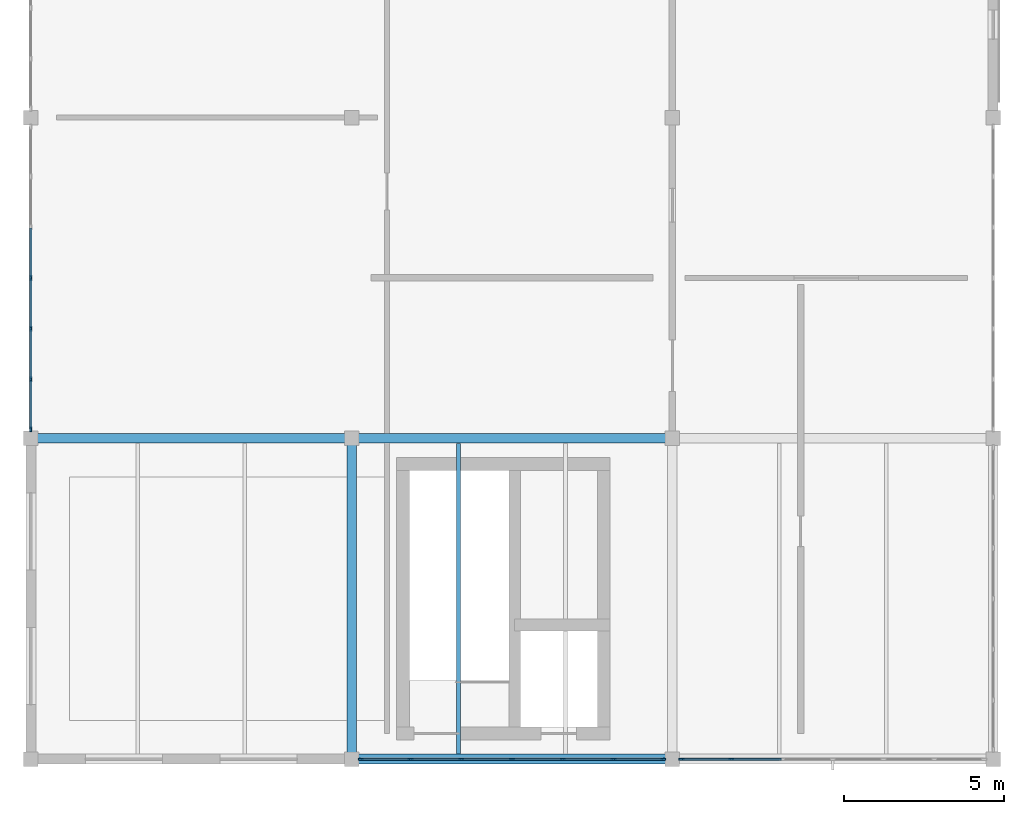
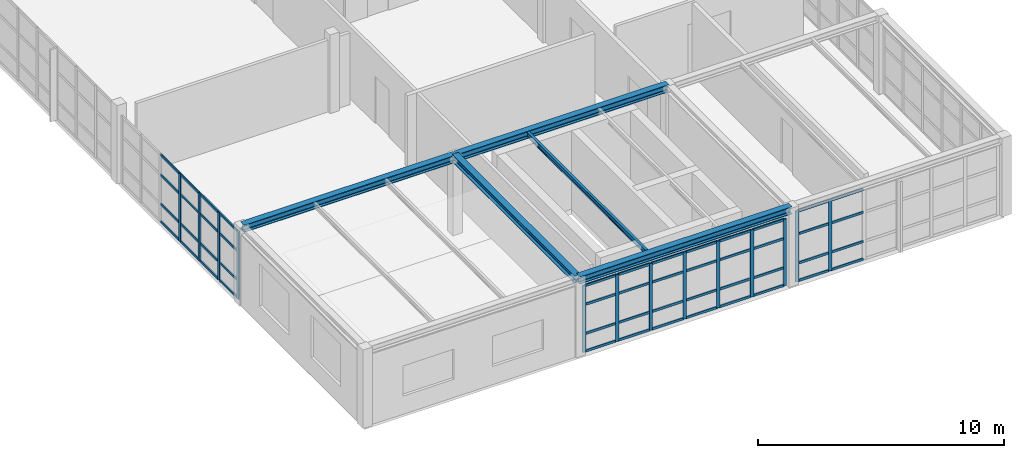
# One storey, part 2 of 11: 61 members, 5 beams, 3 elements without a shape of their own.
"""IFC4 building model written with IfcOpenShell, lengths in metres."""

from ifc_helpers import new_model, si_unit, direction, frame, origin, origin_2d, place, context, subcontext, project, spatial, rectangle, i_section, extrude, material, layer, layer_set, material_profile, profile_set, type_object, element, aggregate, save


model = new_model("IFC4")

# Units and contexts
model_context = context("Model", 3, precision=1e-05, world=origin(), true_north=direction((0.0, 1.0)))
body_context = subcontext(model_context, "Body", "Model", "MODEL_VIEW")
ifc_project = project(units=[si_unit("LENGTHUNIT", "METRE"), si_unit("AREAUNIT", "SQUARE_METRE"), si_unit("VOLUMEUNIT", "CUBIC_METRE"), si_unit("PLANEANGLEUNIT", "RADIAN"), si_unit("MASSUNIT", "GRAM", prefix="KILO"), si_unit("THERMODYNAMICTEMPERATUREUNIT", "KELVIN"), si_unit("POWERUNIT", "WATT")], contexts=[model_context])

# Site, building, storey
site_placement = place(None, origin())
site = spatial("IfcSite", under=ifc_project, at=site_placement, CompositionType="ELEMENT")
building_placement = place(site_placement, origin())
building = spatial("IfcBuilding", under=site, at=building_placement, Name="Korenveer Ferry Terminal", CompositionType="ELEMENT")
storey_placement = place(building_placement, frame((0.0, 0.0, 18.300048828125)))
storey = spatial("IfcBuildingStorey", under=building, at=storey_placement, Name="L04", CompositionType="ELEMENT", Elevation=18.300048828125)

# Curtain wall, members
ifc_material_1 = material(Name="Unitised bronze-and-glass curtain wall", Category="glass")
ifc_layer_1 = layer(ifc_material_1, 0.159912109375)
ifc_layer_set_1 = layer_set([ifc_layer_1], Name="Unitised bronze-and-glass curtain wall")
curtain_wall_type_1 = type_object("IfcCurtainWallType", Name="ENV-CW-129", PredefinedType="USERDEFINED", material=ifc_layer_set_1)
curtain_wall_1_placement = place(storey_placement, frame((10.2548828125, 20.0, 0.0)))
curtain_wall_1 = element("IfcCurtainWall", 1, at=curtain_wall_1_placement, inside=storey, type_object=curtain_wall_type_1, Name="Lancet curtain wall CWX-L04-X10-20-Y20-20", ObjectType="UNITISED CURTAIN WALL", PredefinedType="USERDEFINED")
ifc_material_2 = material(Name="Anodised bronze aluminium", Category="aluminium")
ifc_material_profile_1 = material_profile(ifc_material_2, rectangle(XDim=0.06005859375, YDim=0.159912109375, at=origin_2d()), Name="ALU 60x160")
ifc_profile_set_1 = profile_set([ifc_material_profile_1], Name="Anodised bronze aluminium")
member_type_1 = type_object("IfcMemberType", Name="ENV-CWM-60X160", PredefinedType="MULLION", material=ifc_profile_set_1)
member_1_placement = place(storey_placement, frame((10.284912109375, 20.0, 0.0), z_axis=(0.0, 0.0, 1.0), x_axis=(0.0, 1.0, 0.0)))
member_1 = element("IfcMember", 2, at=member_1_placement, type_object=member_type_1, Name="CW-129 mullion 1", PredefinedType="MULLION", context=body_context, shape_type="SweptSolid", body=[
    extrude(rectangle(XDim=0.06005859375, YDim=0.159912109375, at=origin_2d()), origin(), (0.0, 0.0, 1.0), 3.31005859375),
])
member_2_placement = place(storey_placement, frame((11.836669921875, 20.0, 0.0), z_axis=(0.0, 0.0, 1.0), x_axis=(0.0, 1.0, 0.0)))
member_2 = element("IfcMember", 3, at=member_2_placement, type_object=member_type_1, Name="CW-129 mullion 2", PredefinedType="MULLION", context=body_context, shape_type="SweptSolid", body=[
    extrude(rectangle(XDim=0.06005859375, YDim=0.159912109375, at=origin_2d()), origin(), (0.0, 0.0, 1.0), 3.31005859375),
])
member_3_placement = place(storey_placement, frame((13.418212890625, 20.0, 0.0), z_axis=(0.0, 0.0, 1.0), x_axis=(0.0, 1.0, 0.0)))
member_3 = element("IfcMember", 4, at=member_3_placement, type_object=member_type_1, Name="CW-129 mullion 3", PredefinedType="MULLION", context=body_context, shape_type="SweptSolid", body=[
    extrude(rectangle(XDim=0.06005859375, YDim=0.159912109375, at=origin_2d()), origin(), (0.0, 0.0, 1.0), 3.31005859375),
])
member_4_placement = place(storey_placement, frame((15.0, 20.0, 0.0), z_axis=(0.0, 0.0, 1.0), x_axis=(0.0, 1.0, 0.0)))
member_4 = element("IfcMember", 5, at=member_4_placement, type_object=member_type_1, Name="CW-129 mullion 4", PredefinedType="MULLION", context=body_context, shape_type="SweptSolid", body=[
    extrude(rectangle(XDim=0.06005859375, YDim=0.159912109375, at=origin_2d()), origin(), (0.0, 0.0, 1.0), 3.31005859375),
])
member_5_placement = place(storey_placement, frame((16.581787109375, 20.0, 0.0), z_axis=(0.0, 0.0, 1.0), x_axis=(0.0, 1.0, 0.0)))
member_5 = element("IfcMember", 6, at=member_5_placement, type_object=member_type_1, Name="CW-129 mullion 5", PredefinedType="MULLION", context=body_context, shape_type="SweptSolid", body=[
    extrude(rectangle(XDim=0.06005859375, YDim=0.159912109375, at=origin_2d()), origin(), (0.0, 0.0, 1.0), 3.31005859375),
])
member_6_placement = place(storey_placement, frame((18.163330078125, 20.0, 0.0), z_axis=(0.0, 0.0, 1.0), x_axis=(0.0, 1.0, 0.0)))
member_6 = element("IfcMember", 7, at=member_6_placement, type_object=member_type_1, Name="CW-129 mullion 6", PredefinedType="MULLION", context=body_context, shape_type="SweptSolid", body=[
    extrude(rectangle(XDim=0.06005859375, YDim=0.159912109375, at=origin_2d()), origin(), (0.0, 0.0, 1.0), 3.31005859375),
])
member_7_placement = place(storey_placement, frame((19.715087890625, 20.0, 0.0), z_axis=(0.0, 0.0, 1.0), x_axis=(0.0, 1.0, 0.0)))
member_7 = element("IfcMember", 8, at=member_7_placement, type_object=member_type_1, Name="CW-129 mullion 7", PredefinedType="MULLION", context=body_context, shape_type="SweptSolid", body=[
    extrude(rectangle(XDim=0.06005859375, YDim=0.159912109375, at=origin_2d()), origin(), (0.0, 0.0, 1.0), 3.31005859375),
])

ifc_layer_2 = layer(ifc_material_1, 0.159912109375)
ifc_layer_set_2 = layer_set([ifc_layer_2], Name="Unitised bronze-and-glass curtain wall")
curtain_wall_type_2 = type_object("IfcCurtainWallType", Name="ENV-CW-130", PredefinedType="USERDEFINED", material=ifc_layer_set_2)
curtain_wall_2_placement = place(storey_placement, frame((20.2548828125, 20.0, 0.0)))
curtain_wall_2 = element("IfcCurtainWall", 9, at=curtain_wall_2_placement, inside=storey, type_object=curtain_wall_type_2, Name="Lancet curtain wall CWX-L04-X20-30-Y20-20", ObjectType="UNITISED CURTAIN WALL", PredefinedType="USERDEFINED")
member_8_placement = place(storey_placement, frame((20.284912109375, 20.0, 0.0), z_axis=(0.0, 0.0, 1.0), x_axis=(0.0, 1.0, 0.0)))
member_8 = element("IfcMember", 10, at=member_8_placement, type_object=member_type_1, Name="CW-130 mullion 1", PredefinedType="MULLION", context=body_context, shape_type="SweptSolid", body=[
    extrude(rectangle(XDim=0.06005859375, YDim=0.159912109375, at=origin_2d()), origin(), (0.0, 0.0, 1.0), 3.510009765625),
])
member_9_placement = place(storey_placement, frame((21.836669921875, 20.0, 0.0), z_axis=(0.0, 0.0, 1.0), x_axis=(0.0, 1.0, 0.0)))
member_9 = element("IfcMember", 11, at=member_9_placement, type_object=member_type_1, Name="CW-130 mullion 2", PredefinedType="MULLION", context=body_context, shape_type="SweptSolid", body=[
    extrude(rectangle(XDim=0.06005859375, YDim=0.159912109375, at=origin_2d()), origin(), (0.0, 0.0, 1.0), 3.510009765625),
])

ifc_layer_3 = layer(ifc_material_1, 0.159912109375)
ifc_layer_set_3 = layer_set([ifc_layer_3], Name="Unitised bronze-and-glass curtain wall")
curtain_wall_type_3 = type_object("IfcCurtainWallType", Name="ENV-CW-131", PredefinedType="USERDEFINED", material=ifc_layer_set_3)
curtain_wall_3_placement = place(storey_placement, frame((0.0, 30.2548828125, 0.0)))
curtain_wall_3 = element("IfcCurtainWall", 12, at=curtain_wall_3_placement, inside=storey, type_object=curtain_wall_type_3, Name="Lancet curtain wall CWX-L04-X0-0-Y30-40", ObjectType="UNITISED CURTAIN WALL", PredefinedType="USERDEFINED")
member_10_placement = place(storey_placement, frame((0.0, 30.284912109375, 0.0), z_axis=(0.0, 0.0, 1.0), x_axis=(-1.0, 0.0, 0.0)))
member_10 = element("IfcMember", 13, at=member_10_placement, type_object=member_type_1, Name="CW-131 mullion 1", PredefinedType="MULLION", context=body_context, shape_type="SweptSolid", body=[
    extrude(rectangle(XDim=0.06005859375, YDim=0.159912109375, at=origin_2d()), origin(), (0.0, 0.0, 1.0), 3.35986328125),
])
member_11_placement = place(storey_placement, frame((0.0, 31.836669921875, 0.0), z_axis=(0.0, 0.0, 1.0), x_axis=(-1.0, 0.0, 0.0)))
member_11 = element("IfcMember", 14, at=member_11_placement, type_object=member_type_1, Name="CW-131 mullion 2", PredefinedType="MULLION", context=body_context, shape_type="SweptSolid", body=[
    extrude(rectangle(XDim=0.06005859375, YDim=0.159912109375, at=origin_2d()), origin(), (0.0, 0.0, 1.0), 3.35986328125),
])
member_12_placement = place(storey_placement, frame((0.0, 33.418212890625, 0.0), z_axis=(0.0, 0.0, 1.0), x_axis=(-1.0, 0.0, 0.0)))
member_12 = element("IfcMember", 15, at=member_12_placement, type_object=member_type_1, Name="CW-131 mullion 3", PredefinedType="MULLION", context=body_context, shape_type="SweptSolid", body=[
    extrude(rectangle(XDim=0.06005859375, YDim=0.159912109375, at=origin_2d()), origin(), (0.0, 0.0, 1.0), 3.35986328125),
])
member_13_placement = place(storey_placement, frame((0.0, 35.0, 0.0), z_axis=(0.0, 0.0, 1.0), x_axis=(-1.0, 0.0, 0.0)))
member_13 = element("IfcMember", 16, at=member_13_placement, type_object=member_type_1, Name="CW-131 mullion 4", PredefinedType="MULLION", context=body_context, shape_type="SweptSolid", body=[
    extrude(rectangle(XDim=0.06005859375, YDim=0.159912109375, at=origin_2d()), origin(), (0.0, 0.0, 1.0), 3.35986328125),
])

# Member
ifc_material_profile_2 = material_profile(ifc_material_2, rectangle(XDim=0.06005859375, YDim=0.1201171875, at=origin_2d()), Name="ALU 60x120")
ifc_profile_set_2 = profile_set([ifc_material_profile_2], Name="Anodised bronze aluminium")
member_type_2 = type_object("IfcMemberType", Name="ENV-CWT-60X120", PredefinedType="USERDEFINED", material=ifc_profile_set_2)
member_14_placement = place(storey_placement, frame((10.31494140625, 20.0, 0.030029296875), z_axis=(1.0, 0.0, 0.0), x_axis=(0.0, 1.0, 0.0)))
member_14 = element("IfcMember", 17, at=member_14_placement, type_object=member_type_2, Name="CW-129 transom 1.1", ObjectType="TRANSOM", PredefinedType="USERDEFINED", context=body_context, shape_type="SweptSolid", body=[
    extrude(rectangle(XDim=0.06005859375, YDim=0.1201171875, at=origin_2d()), origin(), (0.0, 0.0, 1.0), 1.49169921875),
])

member_15_placement = place(storey_placement, frame((10.31494140625, 20.0, 0.89990234375), z_axis=(1.0, 0.0, 0.0), x_axis=(0.0, 1.0, 0.0)))
member_15 = element("IfcMember", 18, at=member_15_placement, type_object=member_type_2, Name="CW-129 transom 1.2", ObjectType="TRANSOM", PredefinedType="USERDEFINED", context=body_context, shape_type="SweptSolid", body=[
    extrude(rectangle(XDim=0.06005859375, YDim=0.1201171875, at=origin_2d()), origin(), (0.0, 0.0, 1.0), 1.49169921875),
])

member_16_placement = place(storey_placement, frame((10.31494140625, 20.0, 2.349853515625), z_axis=(1.0, 0.0, 0.0), x_axis=(0.0, 1.0, 0.0)))
member_16 = element("IfcMember", 19, at=member_16_placement, type_object=member_type_2, Name="CW-129 transom 1.3", ObjectType="TRANSOM", PredefinedType="USERDEFINED", context=body_context, shape_type="SweptSolid", body=[
    extrude(rectangle(XDim=0.06005859375, YDim=0.1201171875, at=origin_2d()), origin(), (0.0, 0.0, 1.0), 1.49169921875),
])

member_17_placement = place(storey_placement, frame((10.31494140625, 20.0, 3.280029296875), z_axis=(1.0, 0.0, 0.0), x_axis=(0.0, 1.0, 0.0)))
member_17 = element("IfcMember", 20, at=member_17_placement, type_object=member_type_2, Name="CW-129 transom 1.4", ObjectType="TRANSOM", PredefinedType="USERDEFINED", context=body_context, shape_type="SweptSolid", body=[
    extrude(rectangle(XDim=0.06005859375, YDim=0.1201171875, at=origin_2d()), origin(), (0.0, 0.0, 1.0), 1.49169921875),
])

member_18_placement = place(storey_placement, frame((11.86669921875, 20.0, 0.030029296875), z_axis=(1.0, 0.0, 0.0), x_axis=(0.0, 1.0, 0.0)))
member_18 = element("IfcMember", 21, at=member_18_placement, type_object=member_type_2, Name="CW-129 transom 2.1", ObjectType="TRANSOM", PredefinedType="USERDEFINED", context=body_context, shape_type="SweptSolid", body=[
    extrude(rectangle(XDim=0.06005859375, YDim=0.1201171875, at=origin_2d()), origin(), (0.0, 0.0, 1.0), 1.521728515625),
])

member_19_placement = place(storey_placement, frame((11.86669921875, 20.0, 0.89990234375), z_axis=(1.0, 0.0, 0.0), x_axis=(0.0, 1.0, 0.0)))
member_19 = element("IfcMember", 22, at=member_19_placement, type_object=member_type_2, Name="CW-129 transom 2.2", ObjectType="TRANSOM", PredefinedType="USERDEFINED", context=body_context, shape_type="SweptSolid", body=[
    extrude(rectangle(XDim=0.06005859375, YDim=0.1201171875, at=origin_2d()), origin(), (0.0, 0.0, 1.0), 1.521728515625),
])

member_20_placement = place(storey_placement, frame((11.86669921875, 20.0, 2.349853515625), z_axis=(1.0, 0.0, 0.0), x_axis=(0.0, 1.0, 0.0)))
member_20 = element("IfcMember", 23, at=member_20_placement, type_object=member_type_2, Name="CW-129 transom 2.3", ObjectType="TRANSOM", PredefinedType="USERDEFINED", context=body_context, shape_type="SweptSolid", body=[
    extrude(rectangle(XDim=0.06005859375, YDim=0.1201171875, at=origin_2d()), origin(), (0.0, 0.0, 1.0), 1.521728515625),
])

member_21_placement = place(storey_placement, frame((11.86669921875, 20.0, 3.280029296875), z_axis=(1.0, 0.0, 0.0), x_axis=(0.0, 1.0, 0.0)))
member_21 = element("IfcMember", 24, at=member_21_placement, type_object=member_type_2, Name="CW-129 transom 2.4", ObjectType="TRANSOM", PredefinedType="USERDEFINED", context=body_context, shape_type="SweptSolid", body=[
    extrude(rectangle(XDim=0.06005859375, YDim=0.1201171875, at=origin_2d()), origin(), (0.0, 0.0, 1.0), 1.521728515625),
])

member_22_placement = place(storey_placement, frame((13.4482421875, 20.0, 0.030029296875), z_axis=(1.0, 0.0, 0.0), x_axis=(0.0, 1.0, 0.0)))
member_22 = element("IfcMember", 25, at=member_22_placement, type_object=member_type_2, Name="CW-129 transom 3.1", ObjectType="TRANSOM", PredefinedType="USERDEFINED", context=body_context, shape_type="SweptSolid", body=[
    extrude(rectangle(XDim=0.06005859375, YDim=0.1201171875, at=origin_2d()), origin(), (0.0, 0.0, 1.0), 1.521728515625),
])

member_23_placement = place(storey_placement, frame((13.4482421875, 20.0, 0.89990234375), z_axis=(1.0, 0.0, 0.0), x_axis=(0.0, 1.0, 0.0)))
member_23 = element("IfcMember", 26, at=member_23_placement, type_object=member_type_2, Name="CW-129 transom 3.2", ObjectType="TRANSOM", PredefinedType="USERDEFINED", context=body_context, shape_type="SweptSolid", body=[
    extrude(rectangle(XDim=0.06005859375, YDim=0.1201171875, at=origin_2d()), origin(), (0.0, 0.0, 1.0), 1.521728515625),
])

member_24_placement = place(storey_placement, frame((13.4482421875, 20.0, 2.349853515625), z_axis=(1.0, 0.0, 0.0), x_axis=(0.0, 1.0, 0.0)))
member_24 = element("IfcMember", 27, at=member_24_placement, type_object=member_type_2, Name="CW-129 transom 3.3", ObjectType="TRANSOM", PredefinedType="USERDEFINED", context=body_context, shape_type="SweptSolid", body=[
    extrude(rectangle(XDim=0.06005859375, YDim=0.1201171875, at=origin_2d()), origin(), (0.0, 0.0, 1.0), 1.521728515625),
])

member_25_placement = place(storey_placement, frame((13.4482421875, 20.0, 3.280029296875), z_axis=(1.0, 0.0, 0.0), x_axis=(0.0, 1.0, 0.0)))
member_25 = element("IfcMember", 28, at=member_25_placement, type_object=member_type_2, Name="CW-129 transom 3.4", ObjectType="TRANSOM", PredefinedType="USERDEFINED", context=body_context, shape_type="SweptSolid", body=[
    extrude(rectangle(XDim=0.06005859375, YDim=0.1201171875, at=origin_2d()), origin(), (0.0, 0.0, 1.0), 1.521728515625),
])

member_26_placement = place(storey_placement, frame((15.030029296875, 20.0, 0.030029296875), z_axis=(1.0, 0.0, 0.0), x_axis=(0.0, 1.0, 0.0)))
member_26 = element("IfcMember", 29, at=member_26_placement, type_object=member_type_2, Name="CW-129 transom 4.1", ObjectType="TRANSOM", PredefinedType="USERDEFINED", context=body_context, shape_type="SweptSolid", body=[
    extrude(rectangle(XDim=0.06005859375, YDim=0.1201171875, at=origin_2d()), origin(), (0.0, 0.0, 1.0), 1.521728515625),
])

member_27_placement = place(storey_placement, frame((15.030029296875, 20.0, 0.89990234375), z_axis=(1.0, 0.0, 0.0), x_axis=(0.0, 1.0, 0.0)))
member_27 = element("IfcMember", 30, at=member_27_placement, type_object=member_type_2, Name="CW-129 transom 4.2", ObjectType="TRANSOM", PredefinedType="USERDEFINED", context=body_context, shape_type="SweptSolid", body=[
    extrude(rectangle(XDim=0.06005859375, YDim=0.1201171875, at=origin_2d()), origin(), (0.0, 0.0, 1.0), 1.521728515625),
])

member_28_placement = place(storey_placement, frame((15.030029296875, 20.0, 2.349853515625), z_axis=(1.0, 0.0, 0.0), x_axis=(0.0, 1.0, 0.0)))
member_28 = element("IfcMember", 31, at=member_28_placement, type_object=member_type_2, Name="CW-129 transom 4.3", ObjectType="TRANSOM", PredefinedType="USERDEFINED", context=body_context, shape_type="SweptSolid", body=[
    extrude(rectangle(XDim=0.06005859375, YDim=0.1201171875, at=origin_2d()), origin(), (0.0, 0.0, 1.0), 1.521728515625),
])

member_29_placement = place(storey_placement, frame((15.030029296875, 20.0, 3.280029296875), z_axis=(1.0, 0.0, 0.0), x_axis=(0.0, 1.0, 0.0)))
member_29 = element("IfcMember", 32, at=member_29_placement, type_object=member_type_2, Name="CW-129 transom 4.4", ObjectType="TRANSOM", PredefinedType="USERDEFINED", context=body_context, shape_type="SweptSolid", body=[
    extrude(rectangle(XDim=0.06005859375, YDim=0.1201171875, at=origin_2d()), origin(), (0.0, 0.0, 1.0), 1.521728515625),
])

member_30_placement = place(storey_placement, frame((16.611572265625, 20.0, 0.030029296875), z_axis=(1.0, 0.0, 0.0), x_axis=(0.0, 1.0, 0.0)))
member_30 = element("IfcMember", 33, at=member_30_placement, type_object=member_type_2, Name="CW-129 transom 5.1", ObjectType="TRANSOM", PredefinedType="USERDEFINED", context=body_context, shape_type="SweptSolid", body=[
    extrude(rectangle(XDim=0.06005859375, YDim=0.1201171875, at=origin_2d()), origin(), (0.0, 0.0, 1.0), 1.521728515625),
])

member_31_placement = place(storey_placement, frame((16.611572265625, 20.0, 0.89990234375), z_axis=(1.0, 0.0, 0.0), x_axis=(0.0, 1.0, 0.0)))
member_31 = element("IfcMember", 34, at=member_31_placement, type_object=member_type_2, Name="CW-129 transom 5.2", ObjectType="TRANSOM", PredefinedType="USERDEFINED", context=body_context, shape_type="SweptSolid", body=[
    extrude(rectangle(XDim=0.06005859375, YDim=0.1201171875, at=origin_2d()), origin(), (0.0, 0.0, 1.0), 1.521728515625),
])

member_32_placement = place(storey_placement, frame((16.611572265625, 20.0, 2.349853515625), z_axis=(1.0, 0.0, 0.0), x_axis=(0.0, 1.0, 0.0)))
member_32 = element("IfcMember", 35, at=member_32_placement, type_object=member_type_2, Name="CW-129 transom 5.3", ObjectType="TRANSOM", PredefinedType="USERDEFINED", context=body_context, shape_type="SweptSolid", body=[
    extrude(rectangle(XDim=0.06005859375, YDim=0.1201171875, at=origin_2d()), origin(), (0.0, 0.0, 1.0), 1.521728515625),
])

member_33_placement = place(storey_placement, frame((16.611572265625, 20.0, 3.280029296875), z_axis=(1.0, 0.0, 0.0), x_axis=(0.0, 1.0, 0.0)))
member_33 = element("IfcMember", 36, at=member_33_placement, type_object=member_type_2, Name="CW-129 transom 5.4", ObjectType="TRANSOM", PredefinedType="USERDEFINED", context=body_context, shape_type="SweptSolid", body=[
    extrude(rectangle(XDim=0.06005859375, YDim=0.1201171875, at=origin_2d()), origin(), (0.0, 0.0, 1.0), 1.521728515625),
])

member_34_placement = place(storey_placement, frame((18.193359375, 20.0, 0.030029296875), z_axis=(1.0, 0.0, 0.0), x_axis=(0.0, 1.0, 0.0)))
member_34 = element("IfcMember", 37, at=member_34_placement, type_object=member_type_2, Name="CW-129 transom 6.1", ObjectType="TRANSOM", PredefinedType="USERDEFINED", context=body_context, shape_type="SweptSolid", body=[
    extrude(rectangle(XDim=0.06005859375, YDim=0.1201171875, at=origin_2d()), origin(), (0.0, 0.0, 1.0), 1.49169921875),
])

member_35_placement = place(storey_placement, frame((18.193359375, 20.0, 0.89990234375), z_axis=(1.0, 0.0, 0.0), x_axis=(0.0, 1.0, 0.0)))
member_35 = element("IfcMember", 38, at=member_35_placement, type_object=member_type_2, Name="CW-129 transom 6.2", ObjectType="TRANSOM", PredefinedType="USERDEFINED", context=body_context, shape_type="SweptSolid", body=[
    extrude(rectangle(XDim=0.06005859375, YDim=0.1201171875, at=origin_2d()), origin(), (0.0, 0.0, 1.0), 1.49169921875),
])

member_36_placement = place(storey_placement, frame((18.193359375, 20.0, 2.349853515625), z_axis=(1.0, 0.0, 0.0), x_axis=(0.0, 1.0, 0.0)))
member_36 = element("IfcMember", 39, at=member_36_placement, type_object=member_type_2, Name="CW-129 transom 6.3", ObjectType="TRANSOM", PredefinedType="USERDEFINED", context=body_context, shape_type="SweptSolid", body=[
    extrude(rectangle(XDim=0.06005859375, YDim=0.1201171875, at=origin_2d()), origin(), (0.0, 0.0, 1.0), 1.49169921875),
])

member_37_placement = place(storey_placement, frame((18.193359375, 20.0, 3.280029296875), z_axis=(1.0, 0.0, 0.0), x_axis=(0.0, 1.0, 0.0)))
member_37 = element("IfcMember", 40, at=member_37_placement, type_object=member_type_2, Name="CW-129 transom 6.4", ObjectType="TRANSOM", PredefinedType="USERDEFINED", context=body_context, shape_type="SweptSolid", body=[
    extrude(rectangle(XDim=0.06005859375, YDim=0.1201171875, at=origin_2d()), origin(), (0.0, 0.0, 1.0), 1.49169921875),
])

aggregate(curtain_wall_1, [member_1, member_2, member_3, member_4, member_5, member_6, member_7, member_14, member_15, member_16, member_17, member_18, member_19, member_20, member_21, member_22, member_23, member_24, member_25, member_26, member_27, member_28, member_29, member_30, member_31, member_32, member_33, member_34, member_35, member_36, member_37])

member_38_placement = place(storey_placement, frame((20.31494140625, 20.0, 0.030029296875), z_axis=(1.0, 0.0, 0.0), x_axis=(0.0, 1.0, 0.0)))
member_38 = element("IfcMember", 41, at=member_38_placement, type_object=member_type_2, Name="CW-130 transom 1.1", ObjectType="TRANSOM", PredefinedType="USERDEFINED", context=body_context, shape_type="SweptSolid", body=[
    extrude(rectangle(XDim=0.06005859375, YDim=0.1201171875, at=origin_2d()), origin(), (0.0, 0.0, 1.0), 1.49169921875),
])

member_39_placement = place(storey_placement, frame((20.31494140625, 20.0, 0.89990234375), z_axis=(1.0, 0.0, 0.0), x_axis=(0.0, 1.0, 0.0)))
member_39 = element("IfcMember", 42, at=member_39_placement, type_object=member_type_2, Name="CW-130 transom 1.2", ObjectType="TRANSOM", PredefinedType="USERDEFINED", context=body_context, shape_type="SweptSolid", body=[
    extrude(rectangle(XDim=0.06005859375, YDim=0.1201171875, at=origin_2d()), origin(), (0.0, 0.0, 1.0), 1.49169921875),
])

member_40_placement = place(storey_placement, frame((20.31494140625, 20.0, 2.349853515625), z_axis=(1.0, 0.0, 0.0), x_axis=(0.0, 1.0, 0.0)))
member_40 = element("IfcMember", 43, at=member_40_placement, type_object=member_type_2, Name="CW-130 transom 1.3", ObjectType="TRANSOM", PredefinedType="USERDEFINED", context=body_context, shape_type="SweptSolid", body=[
    extrude(rectangle(XDim=0.06005859375, YDim=0.1201171875, at=origin_2d()), origin(), (0.0, 0.0, 1.0), 1.49169921875),
])

member_41_placement = place(storey_placement, frame((20.31494140625, 20.0, 3.47998046875), z_axis=(1.0, 0.0, 0.0), x_axis=(0.0, 1.0, 0.0)))
member_41 = element("IfcMember", 44, at=member_41_placement, type_object=member_type_2, Name="CW-130 transom 1.4", ObjectType="TRANSOM", PredefinedType="USERDEFINED", context=body_context, shape_type="SweptSolid", body=[
    extrude(rectangle(XDim=0.06005859375, YDim=0.1201171875, at=origin_2d()), origin(), (0.0, 0.0, 1.0), 1.49169921875),
])

member_42_placement = place(storey_placement, frame((21.86669921875, 20.0, 0.030029296875), z_axis=(1.0, 0.0, 0.0), x_axis=(0.0, 1.0, 0.0)))
member_42 = element("IfcMember", 45, at=member_42_placement, type_object=member_type_2, Name="CW-130 transom 2.1", ObjectType="TRANSOM", PredefinedType="USERDEFINED", context=body_context, shape_type="SweptSolid", body=[
    extrude(rectangle(XDim=0.06005859375, YDim=0.1201171875, at=origin_2d()), origin(), (0.0, 0.0, 1.0), 1.521728515625),
])

member_43_placement = place(storey_placement, frame((21.86669921875, 20.0, 0.89990234375), z_axis=(1.0, 0.0, 0.0), x_axis=(0.0, 1.0, 0.0)))
member_43 = element("IfcMember", 46, at=member_43_placement, type_object=member_type_2, Name="CW-130 transom 2.2", ObjectType="TRANSOM", PredefinedType="USERDEFINED", context=body_context, shape_type="SweptSolid", body=[
    extrude(rectangle(XDim=0.06005859375, YDim=0.1201171875, at=origin_2d()), origin(), (0.0, 0.0, 1.0), 1.521728515625),
])

member_44_placement = place(storey_placement, frame((21.86669921875, 20.0, 2.349853515625), z_axis=(1.0, 0.0, 0.0), x_axis=(0.0, 1.0, 0.0)))
member_44 = element("IfcMember", 47, at=member_44_placement, type_object=member_type_2, Name="CW-130 transom 2.3", ObjectType="TRANSOM", PredefinedType="USERDEFINED", context=body_context, shape_type="SweptSolid", body=[
    extrude(rectangle(XDim=0.06005859375, YDim=0.1201171875, at=origin_2d()), origin(), (0.0, 0.0, 1.0), 1.521728515625),
])

member_45_placement = place(storey_placement, frame((21.86669921875, 20.0, 3.47998046875), z_axis=(1.0, 0.0, 0.0), x_axis=(0.0, 1.0, 0.0)))
member_45 = element("IfcMember", 48, at=member_45_placement, type_object=member_type_2, Name="CW-130 transom 2.4", ObjectType="TRANSOM", PredefinedType="USERDEFINED", context=body_context, shape_type="SweptSolid", body=[
    extrude(rectangle(XDim=0.06005859375, YDim=0.1201171875, at=origin_2d()), origin(), (0.0, 0.0, 1.0), 1.521728515625),
])

aggregate(curtain_wall_2, [member_8, member_9, member_38, member_39, member_40, member_41, member_42, member_43, member_44, member_45])

member_46_placement = place(storey_placement, frame((0.0, 30.31494140625, 0.030029296875), z_axis=(0.0, 1.0, 0.0), x_axis=(-1.0, 0.0, 0.0)))
member_46 = element("IfcMember", 49, at=member_46_placement, type_object=member_type_2, Name="CW-131 transom 1.1", ObjectType="TRANSOM", PredefinedType="USERDEFINED", context=body_context, shape_type="SweptSolid", body=[
    extrude(rectangle(XDim=0.06005859375, YDim=0.1201171875, at=origin_2d()), origin(), (0.0, 0.0, 1.0), 1.49169921875),
])

member_47_placement = place(storey_placement, frame((0.0, 30.31494140625, 0.89990234375), z_axis=(0.0, 1.0, 0.0), x_axis=(-1.0, 0.0, 0.0)))
member_47 = element("IfcMember", 50, at=member_47_placement, type_object=member_type_2, Name="CW-131 transom 1.2", ObjectType="TRANSOM", PredefinedType="USERDEFINED", context=body_context, shape_type="SweptSolid", body=[
    extrude(rectangle(XDim=0.06005859375, YDim=0.1201171875, at=origin_2d()), origin(), (0.0, 0.0, 1.0), 1.49169921875),
])

member_48_placement = place(storey_placement, frame((0.0, 30.31494140625, 2.349853515625), z_axis=(0.0, 1.0, 0.0), x_axis=(-1.0, 0.0, 0.0)))
member_48 = element("IfcMember", 51, at=member_48_placement, type_object=member_type_2, Name="CW-131 transom 1.3", ObjectType="TRANSOM", PredefinedType="USERDEFINED", context=body_context, shape_type="SweptSolid", body=[
    extrude(rectangle(XDim=0.06005859375, YDim=0.1201171875, at=origin_2d()), origin(), (0.0, 0.0, 1.0), 1.49169921875),
])

member_49_placement = place(storey_placement, frame((0.0, 30.31494140625, 3.329833984375), z_axis=(0.0, 1.0, 0.0), x_axis=(-1.0, 0.0, 0.0)))
member_49 = element("IfcMember", 52, at=member_49_placement, type_object=member_type_2, Name="CW-131 transom 1.4", ObjectType="TRANSOM", PredefinedType="USERDEFINED", context=body_context, shape_type="SweptSolid", body=[
    extrude(rectangle(XDim=0.06005859375, YDim=0.1201171875, at=origin_2d()), origin(), (0.0, 0.0, 1.0), 1.49169921875),
])

member_50_placement = place(storey_placement, frame((0.0, 31.86669921875, 0.030029296875), z_axis=(0.0, 1.0, 0.0), x_axis=(-1.0, 0.0, 0.0)))
member_50 = element("IfcMember", 53, at=member_50_placement, type_object=member_type_2, Name="CW-131 transom 2.1", ObjectType="TRANSOM", PredefinedType="USERDEFINED", context=body_context, shape_type="SweptSolid", body=[
    extrude(rectangle(XDim=0.06005859375, YDim=0.1201171875, at=origin_2d()), origin(), (0.0, 0.0, 1.0), 1.521728515625),
])

member_51_placement = place(storey_placement, frame((0.0, 31.86669921875, 0.89990234375), z_axis=(0.0, 1.0, 0.0), x_axis=(-1.0, 0.0, 0.0)))
member_51 = element("IfcMember", 54, at=member_51_placement, type_object=member_type_2, Name="CW-131 transom 2.2", ObjectType="TRANSOM", PredefinedType="USERDEFINED", context=body_context, shape_type="SweptSolid", body=[
    extrude(rectangle(XDim=0.06005859375, YDim=0.1201171875, at=origin_2d()), origin(), (0.0, 0.0, 1.0), 1.521728515625),
])

member_52_placement = place(storey_placement, frame((0.0, 31.86669921875, 2.349853515625), z_axis=(0.0, 1.0, 0.0), x_axis=(-1.0, 0.0, 0.0)))
member_52 = element("IfcMember", 55, at=member_52_placement, type_object=member_type_2, Name="CW-131 transom 2.3", ObjectType="TRANSOM", PredefinedType="USERDEFINED", context=body_context, shape_type="SweptSolid", body=[
    extrude(rectangle(XDim=0.06005859375, YDim=0.1201171875, at=origin_2d()), origin(), (0.0, 0.0, 1.0), 1.521728515625),
])

member_53_placement = place(storey_placement, frame((0.0, 31.86669921875, 3.329833984375), z_axis=(0.0, 1.0, 0.0), x_axis=(-1.0, 0.0, 0.0)))
member_53 = element("IfcMember", 56, at=member_53_placement, type_object=member_type_2, Name="CW-131 transom 2.4", ObjectType="TRANSOM", PredefinedType="USERDEFINED", context=body_context, shape_type="SweptSolid", body=[
    extrude(rectangle(XDim=0.06005859375, YDim=0.1201171875, at=origin_2d()), origin(), (0.0, 0.0, 1.0), 1.521728515625),
])

member_54_placement = place(storey_placement, frame((0.0, 33.4482421875, 0.030029296875), z_axis=(0.0, 1.0, 0.0), x_axis=(-1.0, 0.0, 0.0)))
member_54 = element("IfcMember", 57, at=member_54_placement, type_object=member_type_2, Name="CW-131 transom 3.1", ObjectType="TRANSOM", PredefinedType="USERDEFINED", context=body_context, shape_type="SweptSolid", body=[
    extrude(rectangle(XDim=0.06005859375, YDim=0.1201171875, at=origin_2d()), origin(), (0.0, 0.0, 1.0), 1.521728515625),
])

member_55_placement = place(storey_placement, frame((0.0, 33.4482421875, 0.89990234375), z_axis=(0.0, 1.0, 0.0), x_axis=(-1.0, 0.0, 0.0)))
member_55 = element("IfcMember", 58, at=member_55_placement, type_object=member_type_2, Name="CW-131 transom 3.2", ObjectType="TRANSOM", PredefinedType="USERDEFINED", context=body_context, shape_type="SweptSolid", body=[
    extrude(rectangle(XDim=0.06005859375, YDim=0.1201171875, at=origin_2d()), origin(), (0.0, 0.0, 1.0), 1.521728515625),
])

member_56_placement = place(storey_placement, frame((0.0, 33.4482421875, 2.349853515625), z_axis=(0.0, 1.0, 0.0), x_axis=(-1.0, 0.0, 0.0)))
member_56 = element("IfcMember", 59, at=member_56_placement, type_object=member_type_2, Name="CW-131 transom 3.3", ObjectType="TRANSOM", PredefinedType="USERDEFINED", context=body_context, shape_type="SweptSolid", body=[
    extrude(rectangle(XDim=0.06005859375, YDim=0.1201171875, at=origin_2d()), origin(), (0.0, 0.0, 1.0), 1.521728515625),
])

member_57_placement = place(storey_placement, frame((0.0, 33.4482421875, 3.329833984375), z_axis=(0.0, 1.0, 0.0), x_axis=(-1.0, 0.0, 0.0)))
member_57 = element("IfcMember", 60, at=member_57_placement, type_object=member_type_2, Name="CW-131 transom 3.4", ObjectType="TRANSOM", PredefinedType="USERDEFINED", context=body_context, shape_type="SweptSolid", body=[
    extrude(rectangle(XDim=0.06005859375, YDim=0.1201171875, at=origin_2d()), origin(), (0.0, 0.0, 1.0), 1.521728515625),
])

member_58_placement = place(storey_placement, frame((0.0, 35.030029296875, 0.030029296875), z_axis=(0.0, 1.0, 0.0), x_axis=(-1.0, 0.0, 0.0)))
member_58 = element("IfcMember", 61, at=member_58_placement, type_object=member_type_2, Name="CW-131 transom 4.1", ObjectType="TRANSOM", PredefinedType="USERDEFINED", context=body_context, shape_type="SweptSolid", body=[
    extrude(rectangle(XDim=0.06005859375, YDim=0.1201171875, at=origin_2d()), origin(), (0.0, 0.0, 1.0), 1.521728515625),
])

member_59_placement = place(storey_placement, frame((0.0, 35.030029296875, 0.89990234375), z_axis=(0.0, 1.0, 0.0), x_axis=(-1.0, 0.0, 0.0)))
member_59 = element("IfcMember", 62, at=member_59_placement, type_object=member_type_2, Name="CW-131 transom 4.2", ObjectType="TRANSOM", PredefinedType="USERDEFINED", context=body_context, shape_type="SweptSolid", body=[
    extrude(rectangle(XDim=0.06005859375, YDim=0.1201171875, at=origin_2d()), origin(), (0.0, 0.0, 1.0), 1.521728515625),
])

member_60_placement = place(storey_placement, frame((0.0, 35.030029296875, 2.349853515625), z_axis=(0.0, 1.0, 0.0), x_axis=(-1.0, 0.0, 0.0)))
member_60 = element("IfcMember", 63, at=member_60_placement, type_object=member_type_2, Name="CW-131 transom 4.3", ObjectType="TRANSOM", PredefinedType="USERDEFINED", context=body_context, shape_type="SweptSolid", body=[
    extrude(rectangle(XDim=0.06005859375, YDim=0.1201171875, at=origin_2d()), origin(), (0.0, 0.0, 1.0), 1.521728515625),
])

member_61_placement = place(storey_placement, frame((0.0, 35.030029296875, 3.329833984375), z_axis=(0.0, 1.0, 0.0), x_axis=(-1.0, 0.0, 0.0)))
member_61 = element("IfcMember", 64, at=member_61_placement, type_object=member_type_2, Name="CW-131 transom 4.4", ObjectType="TRANSOM", PredefinedType="USERDEFINED", context=body_context, shape_type="SweptSolid", body=[
    extrude(rectangle(XDim=0.06005859375, YDim=0.1201171875, at=origin_2d()), origin(), (0.0, 0.0, 1.0), 1.521728515625),
])

aggregate(curtain_wall_3, [member_10, member_11, member_12, member_13, member_46, member_47, member_48, member_49, member_50, member_51, member_52, member_53, member_54, member_55, member_56, member_57, member_58, member_59, member_60, member_61])

# Beams
ifc_material_3 = material(Name="Steel S355", Category="steel")
ifc_material_profile_3 = material_profile(ifc_material_3, i_section(OverallWidth=0.300048828125, OverallDepth=0.360107421875, WebThickness=0.012451171875, FlangeThickness=0.0224609375, FilletRadius=0.027099609375, at=origin_2d()), Name="HEB 360")
ifc_profile_set_3 = profile_set([ifc_material_profile_3], Name="Steel S355")
beam_type_1 = type_object("IfcBeamType", Name="STR-BM-HEB360", PredefinedType="BEAM", material=ifc_profile_set_3)
for number, where, z_axis, x_axis, name in (
    (65, (10.02001953125, 20.0, 3.719970703125), (1.0, 0.0, 0.0), (0.0, 1.0, 0.0), "Head-house X beam 10 20"),
    (66, (0.02001953125, 30.0, 3.719970703125), (1.0, 0.0, 0.0), (0.0, 1.0, 0.0), "Head-house X beam 0 30"),
    (67, (10.02001953125, 30.0, 3.719970703125), (1.0, 0.0, 0.0), (0.0, 1.0, 0.0), "Head-house X beam 10 30"),
    (68, (10.0, 20.02001953125, 3.719970703125), (0.0, 1.0, 0.0), (-1.0, 0.0, 0.0), "Head-house Y beam 10"),
):
    element("IfcBeam", number, at=place(storey_placement, frame(where, z_axis=z_axis, x_axis=x_axis)), inside=storey, type_object=beam_type_1, Name=name, PredefinedType="BEAM", context=body_context, shape_type="SweptSolid", body=[
        extrude(i_section(OverallWidth=0.300048828125, OverallDepth=0.360107421875, WebThickness=0.012451171875, FlangeThickness=0.0224609375, FilletRadius=0.027099609375, at=origin_2d()), origin(), (0.0, 0.0, 1.0), 9.9599609375),
    ])
ifc_material_profile_4 = material_profile(ifc_material_3, i_section(OverallWidth=0.1201171875, OverallDepth=0.239990234375, WebThickness=0.006103515625, FlangeThickness=0.009765625, FilletRadius=0.014892578125, at=origin_2d()), Name="IPE 240")
ifc_profile_set_4 = profile_set([ifc_material_profile_4], Name="Steel S355")
beam_type_2 = type_object("IfcBeamType", Name="STR-JST-IPE240", PredefinedType="JOIST", material=ifc_profile_set_4)
beam_placement = place(storey_placement, frame((13.333251953125, 20.159912109375, 3.780029296875), z_axis=(0.0, 1.0, 0.0), x_axis=(-1.0, 0.0, 0.0)))
element("IfcBeam", 69, at=beam_placement, inside=storey, type_object=beam_type_2, Name="Head-house roof joist 13.3", PredefinedType="JOIST", context=body_context, shape_type="SweptSolid", body=[
    extrude(i_section(OverallWidth=0.1201171875, OverallDepth=0.239990234375, WebThickness=0.006103515625, FlangeThickness=0.009765625, FilletRadius=0.014892578125, at=origin_2d()), origin(), (0.0, 0.0, 1.0), 9.68017578125),
])

save(model, "model.ifc")
